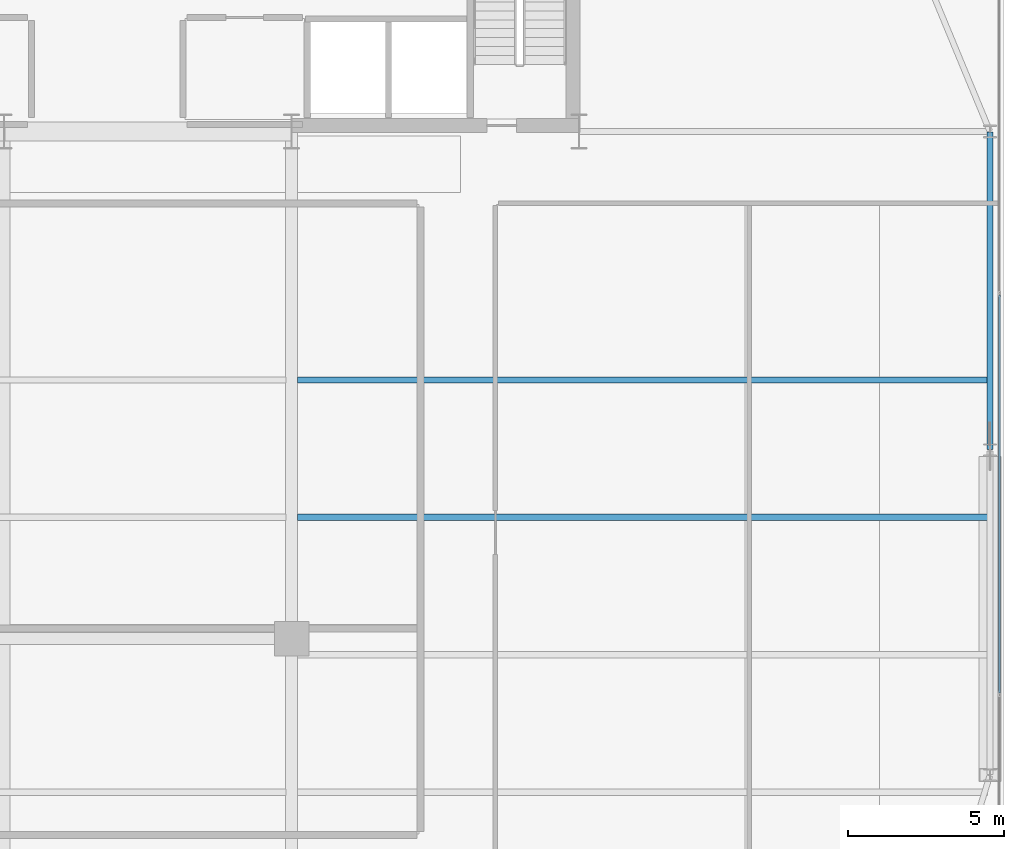
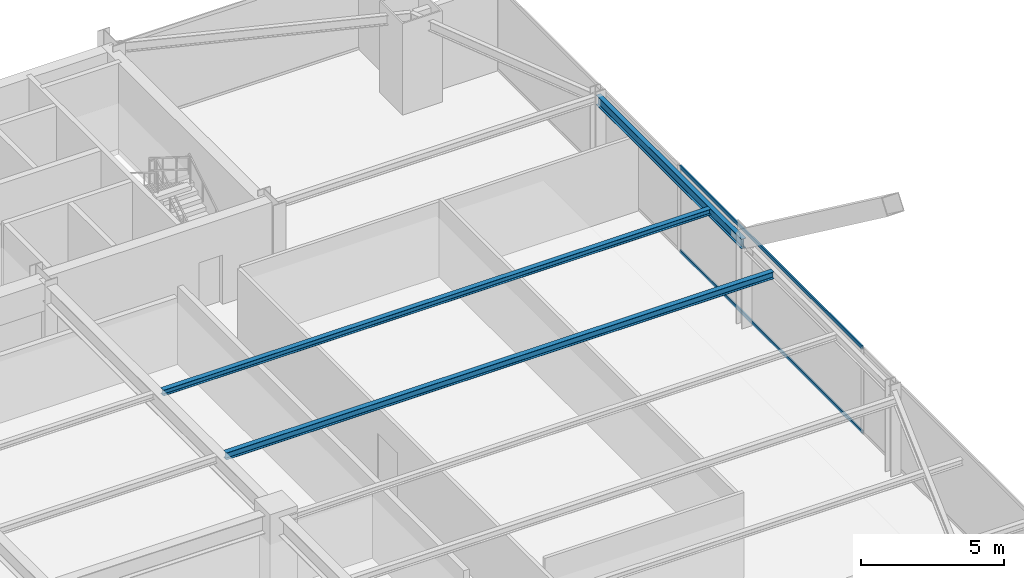
# One storey, part 17 of 34: 3 beams, 2 members, 1 element without a shape of its own.
"""IFC4 building model written with IfcOpenShell, lengths in metres."""

from ifc_helpers import new_model, si_unit, direction, frame, origin, origin_2d, place, context, subcontext, project, spatial, hollow_rectangle, i_section, extrude, source, transform, mapped, material, layer, layer_set, material_profile, profile_set, type_object, type_shapes, element, aggregate, save


model = new_model("IFC4")

# Units and contexts
model_context = context("Model", 3, precision=1e-05, world=origin(), true_north=direction((0.0, 1.0)))
body_context = subcontext(model_context, "Body", "Model", "MODEL_VIEW")
ifc_project = project(units=[si_unit("LENGTHUNIT", "METRE"), si_unit("AREAUNIT", "SQUARE_METRE"), si_unit("VOLUMEUNIT", "CUBIC_METRE"), si_unit("PLANEANGLEUNIT", "RADIAN"), si_unit("MASSUNIT", "GRAM", prefix="KILO")], contexts=[model_context])

# Site, building, storey
site_placement = place(None, origin())
site = spatial("IfcSite", under=ifc_project, at=site_placement, CompositionType="ELEMENT")
building_placement = place(site_placement, origin())
building = spatial("IfcBuilding", under=site, at=building_placement, Name="Varnel Quay Broadcast Tower", CompositionType="ELEMENT")
storey_placement = place(building_placement, frame((0.0, 0.0, 47.10009765625)))
storey = spatial("IfcBuildingStorey", under=building, at=storey_placement, Name="L10", CompositionType="ELEMENT", Elevation=47.10009765625)

# Beams
ifc_material_1 = material(Name="Structural Steel CSA G40.21 350W", Category="steel")
ifc_material_profile_1 = material_profile(ifc_material_1, i_section(OverallWidth=0.180908203125, OverallDepth=0.4169921875, WebThickness=0.010986328125, FlangeThickness=0.018310546875, FilletRadius=0.011962890625, at=origin_2d()), Name="W410X85")
ifc_profile_set_1 = profile_set([ifc_material_profile_1], Name="Structural Steel CSA G40.21 350W")
beam_type_1 = type_object("IfcBeamType", Name="Beam_W410X85", PredefinedType="SPANDREL", material=ifc_profile_set_1)
shared_shape_1 = source(origin(), body_context, "Body", "SweptSolid", [
    extrude(i_section(OverallWidth=0.180908203125, OverallDepth=0.4169921875, WebThickness=0.010986328125, FlangeThickness=0.018310546875, FilletRadius=0.011962890625, at=origin_2d()), origin(), (0.0, 0.0, 1.0), 10.16015625),
])
type_shapes(beam_type_1, [shared_shape_1])
beam_1_placement = place(storey_placement, frame((65.550048828125, 25.419921875, 3.44140625), z_axis=(0.0, 1.0, 0.0), x_axis=(-1.0, 0.0, 0.0)))
element("IfcBeam", 1, at=beam_1_placement, inside=storey, type_object=beam_type_1, Name="L10 East Spandrel TC-E2-TC-E3", PredefinedType="SPANDREL", context=body_context, shape_type="MappedRepresentation", body=[
    mapped(shared_shape_1, transform((0.0, 0.0, 0.0), x_axis=(1.0, 0.0, 0.0), y_axis=(0.0, 1.0, 0.0), z_axis=(0.0, 0.0, 1.0), scale=1.0)),
])
ifc_material_profile_2 = material_profile(ifc_material_1, i_section(OverallWidth=0.202880859375, OverallDepth=0.302978515625, WebThickness=0.007568359375, FlangeThickness=0.01318359375, FilletRadius=0.011962890625, at=origin_2d()), Name="W310X60")
ifc_profile_set_2 = profile_set([ifc_material_profile_2], Name="Structural Steel CSA G40.21 350W")
beam_type_2 = type_object("IfcBeamType", Name="Beam_W310X60", PredefinedType="JOIST", material=ifc_profile_set_2)
shared_shape_2 = source(origin(), body_context, "Body", "SweptSolid", [
    extrude(i_section(OverallWidth=0.202880859375, OverallDepth=0.302978515625, WebThickness=0.007568359375, FlangeThickness=0.01318359375, FilletRadius=0.011962890625, at=origin_2d()), origin(), (0.0, 0.0, 1.0), 22.0791015625),
])
type_shapes(beam_type_2, [shared_shape_2])
beam_2_placement = place(storey_placement, frame((43.385498046875, 23.25, 3.498291015625), z_axis=(1.0, 0.0, 0.0), x_axis=(0.0, 1.0, 0.0)))
element("IfcBeam", 2, at=beam_2_placement, inside=storey, type_object=beam_type_2, Name="L10 East Floor Joist 5", PredefinedType="JOIST", context=body_context, shape_type="MappedRepresentation", body=[
    mapped(shared_shape_2, transform((0.0, 0.0, 0.0), x_axis=(1.0, 0.0, 0.0), y_axis=(0.0, 1.0, 0.0), z_axis=(0.0, 0.0, 1.0), scale=1.0)),
])
ifc_material_profile_3 = material_profile(ifc_material_1, i_section(OverallWidth=0.201904296875, OverallDepth=0.2470703125, WebThickness=0.00732421875, FlangeThickness=0.010986328125, FilletRadius=0.010986328125, at=origin_2d()), Name="W250X49")
ifc_profile_set_3 = profile_set([ifc_material_profile_3], Name="Structural Steel CSA G40.21 350W")
beam_type_3 = type_object("IfcBeamType", Name="Beam_W250X49", PredefinedType="JOIST", material=ifc_profile_set_3)
shared_shape_3 = source(origin(), body_context, "Body", "SweptSolid", [
    extrude(i_section(OverallWidth=0.201904296875, OverallDepth=0.2470703125, WebThickness=0.00732421875, FlangeThickness=0.010986328125, FilletRadius=0.010986328125, at=origin_2d()), origin(), (0.0, 0.0, 1.0), 22.0791015625),
])
type_shapes(beam_type_3, [shared_shape_3])
beam_3_placement = place(storey_placement, frame((43.385498046875, 27.64990234375, 3.5263671875), z_axis=(1.0, 0.0, 0.0), x_axis=(0.0, 1.0, 0.0)))
element("IfcBeam", 3, at=beam_3_placement, inside=storey, type_object=beam_type_3, Name="L10 East Floor Joist 6", PredefinedType="JOIST", context=body_context, shape_type="MappedRepresentation", body=[
    mapped(shared_shape_3, transform((0.0, 0.0, 0.0), x_axis=(1.0, 0.0, 0.0), y_axis=(0.0, 1.0, 0.0), z_axis=(0.0, 0.0, 1.0), scale=1.0)),
])

# Curtain wall, members
ifc_material_2 = material(Name="Anodised Bronze Aluminium 6063-T6", Category="aluminium")
ifc_layer = layer(ifc_material_2, 0.18994140625, Name="Anodised Bronze Aluminium 6063-T6")
ifc_layer_set = layer_set([ifc_layer], Name="Anodised Bronze Aluminium 6063-T6")
curtain_wall_type = type_object("IfcCurtainWallType", Name="CW_LowerTower", PredefinedType="NOTDEFINED", material=ifc_layer_set)
curtain_wall_placement = place(storey_placement, origin())
curtain_wall = element("IfcCurtainWall", 4, at=curtain_wall_placement, inside=storey, type_object=curtain_wall_type, Name="L10 East Unitised Curtain Wall", PredefinedType="NOTDEFINED")
ifc_material_profile_4 = material_profile(ifc_material_2, hollow_rectangle(XDim=0.06005859375, YDim=0.14501953125, WallThickness=0.00341796875, at=origin_2d()), Name="ALU60X145X3.5")
ifc_profile_set_4 = profile_set([ifc_material_profile_4], Name="Anodised Bronze Aluminium 6063-T6")
member_type = type_object("IfcMemberType", Name="Tran_CWS-02", PredefinedType="USERDEFINED", material=ifc_profile_set_4)
shared_shape_4 = source(origin(), body_context, "Body", "SweptSolid", [
    extrude(hollow_rectangle(XDim=0.06005859375, YDim=0.14501953125, WallThickness=0.00341796875, at=origin_2d()), origin(), (0.0, 0.0, 1.0), 12.72998046875),
])
type_shapes(member_type, [shared_shape_4])
member_1_placement = place(storey_placement, frame((65.85009765625, 17.635009765625, 0.02978515625), z_axis=(0.0, 1.0, 0.0), x_axis=(-1.0, 0.0, 0.0)))
member_1 = element("IfcMember", 5, at=member_1_placement, type_object=member_type, Name="CWS-02 transom 2.1", ObjectType="TRANSOM", PredefinedType="USERDEFINED", context=body_context, shape_type="MappedRepresentation", body=[
    mapped(shared_shape_4, transform((0.0, 0.0, 0.0), x_axis=(1.0, 0.0, 0.0), y_axis=(0.0, 1.0, 0.0), z_axis=(0.0, 0.0, 1.0), scale=1.0)),
])
member_2_placement = place(storey_placement, frame((65.85009765625, 17.635009765625, 3.619873046875), z_axis=(0.0, 1.0, 0.0), x_axis=(-1.0, 0.0, 0.0)))
member_2 = element("IfcMember", 6, at=member_2_placement, type_object=member_type, Name="CWS-02 transom 2.2", ObjectType="TRANSOM", PredefinedType="USERDEFINED", context=body_context, shape_type="MappedRepresentation", body=[
    mapped(shared_shape_4, transform((0.0, 0.0, 0.0), x_axis=(1.0, 0.0, 0.0), y_axis=(0.0, 1.0, 0.0), z_axis=(0.0, 0.0, 1.0), scale=1.0)),
])
aggregate(curtain_wall, [member_1, member_2])

save(model, "model.ifc")
